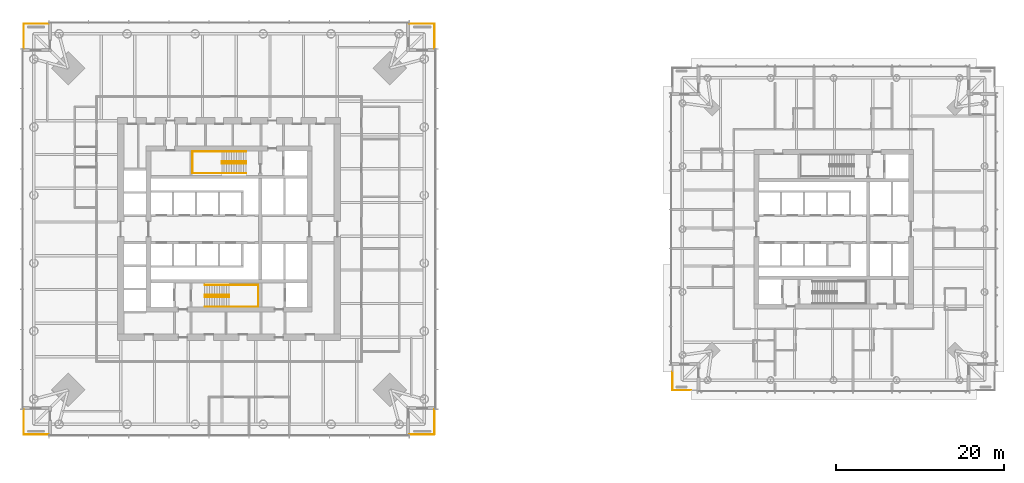
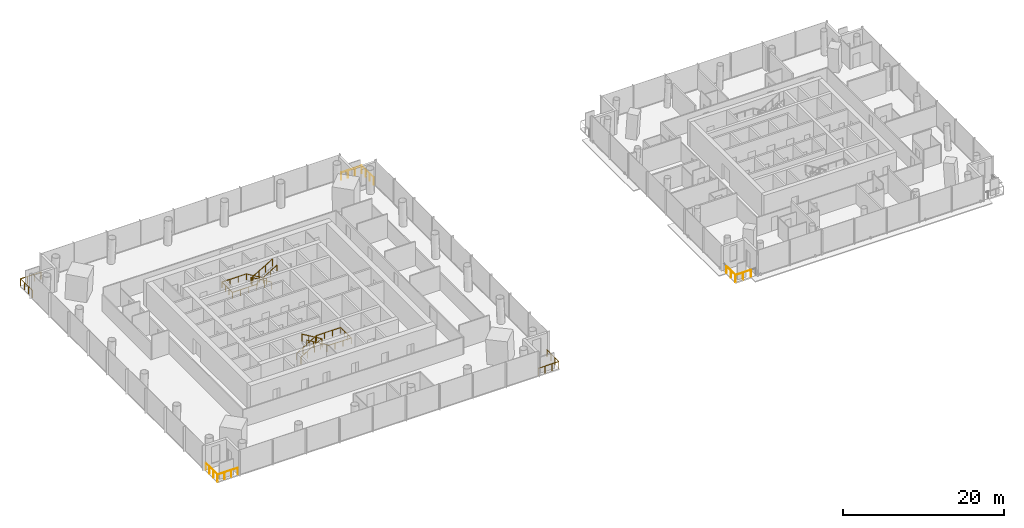
# One storey, part 20 of 21: 9 railings.
"""IFC4 building model written with IfcOpenShell, lengths in metres."""

from ifc_helpers import new_model, si_unit, direction, frame, origin, origin_2d, place, context, subcontext, project, spatial, circle, extrude, material, type_object, element, save


model = new_model("IFC4")

# Units and contexts
model_context = context("Model", 3, precision=1e-05, world=origin(), true_north=direction((0.0, 1.0)))
body_context = subcontext(model_context, "Body", "Model", "MODEL_VIEW")
ifc_project = project(units=[si_unit("LENGTHUNIT", "METRE"), si_unit("AREAUNIT", "SQUARE_METRE"), si_unit("VOLUMEUNIT", "CUBIC_METRE"), si_unit("PLANEANGLEUNIT", "RADIAN"), si_unit("MASSUNIT", "GRAM", prefix="KILO")], contexts=[model_context])

# Site, building, storey
site_placement = place(None, origin())
site = spatial("IfcSite", under=ifc_project, at=site_placement, CompositionType="ELEMENT")
building_placement = place(site_placement, origin())
building = spatial("IfcBuilding", under=site, at=building_placement, Name="Ostroluk Exchange", CompositionType="ELEMENT")
storey_placement = place(building_placement, frame((0.0, 0.0, 43.800048828125)))
storey = spatial("IfcBuildingStorey", under=building, at=storey_placement, Name="L10", CompositionType="ELEMENT", Elevation=43.800048828125)

# Railings
ifc_material_1 = material(Name="Stainless steel", Category="steel")
railing_type_1 = type_object("IfcRailingType", Name="Guard 1100 stainless steel", PredefinedType="GUARDRAIL", material=ifc_material_1)
railing_1_placement = place(storey_placement, frame((66.5, 21.550048828125, 0.0)))
element("IfcRailing", 1, at=railing_1_placement, inside=storey, type_object=railing_type_1, Name="Office tower SE balcony guard L10", PredefinedType="GUARDRAIL", context=body_context, shape_type="SweptSolid", body=[
    extrude(circle(Radius=0.02392578125, at=origin_2d()), frame((0.0, 0.0, 1.076171875), z_axis=(1.0, 0.0, 0.0), x_axis=(0.0, 1.0, 0.0)), (0.0, 0.0, 1.0), 2.949951171875),
    extrude(circle(Radius=0.02392578125, at=origin_2d()), frame((2.949951171875, 0.0, 1.076171875), z_axis=(0.0, 1.0, 0.0), x_axis=(-1.0, 0.0, 0.0)), (0.0, 0.0, 1.0), 2.949951171875),
    extrude(circle(Radius=0.02099609375, at=origin_2d()), origin(), (0.0, 0.0, 1.0), 1.052001953125),
    extrude(circle(Radius=0.02099609375, at=origin_2d()), frame((0.9833984375, 0.0, 0.0)), (0.0, 0.0, 1.0), 1.052001953125),
    extrude(circle(Radius=0.02099609375, at=origin_2d()), frame((1.966552734375, 0.0, 0.0)), (0.0, 0.0, 1.0), 1.052001953125),
    extrude(circle(Radius=0.02099609375, at=origin_2d()), frame((2.949951171875, 0.0, 0.0)), (0.0, 0.0, 1.0), 1.052001953125),
    extrude(circle(Radius=0.02099609375, at=origin_2d()), frame((2.949951171875, 0.9833984375, 0.0)), (0.0, 0.0, 1.0), 1.052001953125),
    extrude(circle(Radius=0.02099609375, at=origin_2d()), frame((2.949951171875, 1.966552734375, 0.0)), (0.0, 0.0, 1.0), 1.052001953125),
    extrude(circle(Radius=0.02099609375, at=origin_2d()), frame((2.949951171875, 2.949951171875, 0.0)), (0.0, 0.0, 1.0), 1.052001953125),
])
railing_2_placement = place(storey_placement, frame((66.5, 70.449951171875, 0.0)))
element("IfcRailing", 2, at=railing_2_placement, inside=storey, type_object=railing_type_1, Name="Office tower NE balcony guard L10", PredefinedType="GUARDRAIL", context=body_context, shape_type="SweptSolid", body=[
    extrude(circle(Radius=0.02392578125, at=origin_2d()), frame((0.0, 0.0, 1.076171875), z_axis=(1.0, 0.0, 0.0), x_axis=(0.0, 1.0, 0.0)), (0.0, 0.0, 1.0), 2.949951171875),
    extrude(circle(Radius=0.02392578125, at=origin_2d()), frame((2.949951171875, 0.0, 1.076171875), z_axis=(0.0, -1.0, 0.0), x_axis=(1.0, 0.0, 0.0)), (0.0, 0.0, 1.0), 2.949951171875),
    extrude(circle(Radius=0.02099609375, at=origin_2d()), origin(), (0.0, 0.0, 1.0), 1.052001953125),
    extrude(circle(Radius=0.02099609375, at=origin_2d()), frame((0.9833984375, 0.0, 0.0)), (0.0, 0.0, 1.0), 1.052001953125),
    extrude(circle(Radius=0.02099609375, at=origin_2d()), frame((1.966552734375, 0.0, 0.0)), (0.0, 0.0, 1.0), 1.052001953125),
    extrude(circle(Radius=0.02099609375, at=origin_2d()), frame((2.949951171875, 0.0, 0.0)), (0.0, 0.0, 1.0), 1.052001953125),
    extrude(circle(Radius=0.02099609375, at=origin_2d()), frame((2.949951171875, -0.9833984375, 0.0)), (0.0, 0.0, 1.0), 1.052001953125),
    extrude(circle(Radius=0.02099609375, at=origin_2d()), frame((2.949951171875, -1.966552734375, 0.0)), (0.0, 0.0, 1.0), 1.052001953125),
    extrude(circle(Radius=0.02099609375, at=origin_2d()), frame((2.949951171875, -2.949951171875, 0.0)), (0.0, 0.0, 1.0), 1.052001953125),
])
railing_3_placement = place(storey_placement, frame((23.5, 70.449951171875, 0.0)))
element("IfcRailing", 3, at=railing_3_placement, inside=storey, type_object=railing_type_1, Name="Office tower NW balcony guard L10", PredefinedType="GUARDRAIL", context=body_context, shape_type="SweptSolid", body=[
    extrude(circle(Radius=0.02392578125, at=origin_2d()), frame((0.0, 0.0, 1.076171875), z_axis=(-1.0, 0.0, 0.0), x_axis=(0.0, -1.0, 0.0)), (0.0, 0.0, 1.0), 2.949951171875),
    extrude(circle(Radius=0.02392578125, at=origin_2d()), frame((-2.949951171875, 0.0, 1.076171875), z_axis=(0.0, -1.0, 0.0), x_axis=(1.0, 0.0, 0.0)), (0.0, 0.0, 1.0), 2.949951171875),
    extrude(circle(Radius=0.02099609375, at=origin_2d()), origin(), (0.0, 0.0, 1.0), 1.052001953125),
    extrude(circle(Radius=0.02099609375, at=origin_2d()), frame((-0.9833984375, 0.0, 0.0)), (0.0, 0.0, 1.0), 1.052001953125),
    extrude(circle(Radius=0.02099609375, at=origin_2d()), frame((-1.966552734375, 0.0, 0.0)), (0.0, 0.0, 1.0), 1.052001953125),
    extrude(circle(Radius=0.02099609375, at=origin_2d()), frame((-2.949951171875, 0.0, 0.0)), (0.0, 0.0, 1.0), 1.052001953125),
    extrude(circle(Radius=0.02099609375, at=origin_2d()), frame((-2.949951171875, -0.9833984375, 0.0)), (0.0, 0.0, 1.0), 1.052001953125),
    extrude(circle(Radius=0.02099609375, at=origin_2d()), frame((-2.949951171875, -1.966552734375, 0.0)), (0.0, 0.0, 1.0), 1.052001953125),
    extrude(circle(Radius=0.02099609375, at=origin_2d()), frame((-2.949951171875, -2.949951171875, 0.0)), (0.0, 0.0, 1.0), 1.052001953125),
])
railing_4_placement = place(storey_placement, frame((23.5, 21.550048828125, 0.0)))
element("IfcRailing", 4, at=railing_4_placement, inside=storey, type_object=railing_type_1, Name="Office tower SW balcony guard L10", PredefinedType="GUARDRAIL", context=body_context, shape_type="SweptSolid", body=[
    extrude(circle(Radius=0.02392578125, at=origin_2d()), frame((0.0, 0.0, 1.076171875), z_axis=(-1.0, 0.0, 0.0), x_axis=(0.0, -1.0, 0.0)), (0.0, 0.0, 1.0), 2.949951171875),
    extrude(circle(Radius=0.02392578125, at=origin_2d()), frame((-2.949951171875, 0.0, 1.076171875), z_axis=(0.0, 1.0, 0.0), x_axis=(-1.0, 0.0, 0.0)), (0.0, 0.0, 1.0), 2.949951171875),
    extrude(circle(Radius=0.02099609375, at=origin_2d()), origin(), (0.0, 0.0, 1.0), 1.052001953125),
    extrude(circle(Radius=0.02099609375, at=origin_2d()), frame((-0.9833984375, 0.0, 0.0)), (0.0, 0.0, 1.0), 1.052001953125),
    extrude(circle(Radius=0.02099609375, at=origin_2d()), frame((-1.966552734375, 0.0, 0.0)), (0.0, 0.0, 1.0), 1.052001953125),
    extrude(circle(Radius=0.02099609375, at=origin_2d()), frame((-2.949951171875, 0.0, 0.0)), (0.0, 0.0, 1.0), 1.052001953125),
    extrude(circle(Radius=0.02099609375, at=origin_2d()), frame((-2.949951171875, 0.9833984375, 0.0)), (0.0, 0.0, 1.0), 1.052001953125),
    extrude(circle(Radius=0.02099609375, at=origin_2d()), frame((-2.949951171875, 1.966552734375, 0.0)), (0.0, 0.0, 1.0), 1.052001953125),
    extrude(circle(Radius=0.02099609375, at=origin_2d()), frame((-2.949951171875, 2.949951171875, 0.0)), (0.0, 0.0, 1.0), 1.052001953125),
])
railing_5_placement = place(storey_placement, frame((100.0, 26.800048828125, 0.0)))
element("IfcRailing", 5, at=railing_5_placement, inside=storey, type_object=railing_type_1, Name="Hotel tower SW balcony guard L10", PredefinedType="GUARDRAIL", context=body_context, shape_type="SweptSolid", body=[
    extrude(circle(Radius=0.02392578125, at=origin_2d()), frame((0.0, 0.0, 1.076171875), z_axis=(-1.0, 0.0, 0.0), x_axis=(0.0, -1.0, 0.0)), (0.0, 0.0, 1.0), 2.199951171875),
    extrude(circle(Radius=0.02392578125, at=origin_2d()), frame((-2.199951171875, 0.0, 1.076171875), z_axis=(0.0, 1.0, 0.0), x_axis=(-1.0, 0.0, 0.0)), (0.0, 0.0, 1.0), 2.199951171875),
    extrude(circle(Radius=0.02099609375, at=origin_2d()), origin(), (0.0, 0.0, 1.0), 1.052001953125),
    extrude(circle(Radius=0.02099609375, at=origin_2d()), frame((-1.10009765625, 0.0, 0.0)), (0.0, 0.0, 1.0), 1.052001953125),
    extrude(circle(Radius=0.02099609375, at=origin_2d()), frame((-2.199951171875, 0.0, 0.0)), (0.0, 0.0, 1.0), 1.052001953125),
    extrude(circle(Radius=0.02099609375, at=origin_2d()), frame((-2.199951171875, 1.10009765625, 0.0)), (0.0, 0.0, 1.0), 1.052001953125),
    extrude(circle(Radius=0.02099609375, at=origin_2d()), frame((-2.199951171875, 2.199951171875, 0.0)), (0.0, 0.0, 1.0), 1.052001953125),
])
ifc_material_2 = material(Name="Steel S355", Category="steel")
railing_type_2 = type_object("IfcRailingType", Name="Stair guard 1100", PredefinedType="GUARDRAIL", material=ifc_material_2)
railing_6_placement = place(storey_placement, frame((42.10009765625, 38.179931640625, 0.172607421875)))
element("IfcRailing", 6, at=railing_6_placement, inside=storey, type_object=railing_type_2, Name="Stair T1-S1 guard L10", PredefinedType="GUARDRAIL", context=body_context, shape_type="SweptSolid", body=[
    extrude(circle(Radius=0.02392578125, at=origin_2d()), frame((0.0, 0.0, 1.076171875), z_axis=(0.859141464434, 0.0, 0.511738159696), x_axis=(0.0, 1.0, 0.0)), (0.0, 0.0, 1.0), 3.375244140625),
    extrude(circle(Radius=0.02392578125, at=origin_2d()), frame((2.89990234375, 0.0, 2.80322265625), z_axis=(0.0, -1.0, 0.0), x_axis=(1.0, 0.0, 0.0)), (0.0, 0.0, 1.0), 0.260009765625),
    extrude(circle(Radius=0.02392578125, at=origin_2d()), frame((2.89990234375, -0.260009765625, 2.80322265625), z_axis=(0.0, 0.0, 1.0), x_axis=(1.0, 0.0, 0.0)), (0.0, 0.0, 1.0), 0.1728515625),
    extrude(circle(Radius=0.02392578125, at=origin_2d()), frame((2.89990234375, -0.260009765625, 2.97607421875), z_axis=(-0.859141464434, 0.0, 0.511738159696), x_axis=(0.0, -1.0, 0.0)), (0.0, 0.0, 1.0), 3.375244140625),
    extrude(circle(Radius=0.02099609375, at=origin_2d()), origin(), (0.0, 0.0, 1.0), 1.052001953125),
    extrude(circle(Radius=0.02099609375, at=origin_2d()), frame((0.966552734375, 0.0, 0.57568359375)), (0.0, 0.0, 1.0), 1.052001953125),
    extrude(circle(Radius=0.02099609375, at=origin_2d()), frame((1.933349609375, 0.0, 1.151611328125)), (0.0, 0.0, 1.0), 1.052001953125),
    extrude(circle(Radius=0.02099609375, at=origin_2d()), frame((2.89990234375, 0.0, 1.727294921875)), (0.0, 0.0, 1.0), 1.052001953125),
    extrude(circle(Radius=0.02099609375, at=origin_2d()), frame((2.89990234375, -0.260009765625, 1.727294921875)), (0.0, 0.0, 1.0), 1.052001953125),
    extrude(circle(Radius=0.02099609375, at=origin_2d()), frame((2.89990234375, -0.260009765625, 1.900146484375)), (0.0, 0.0, 1.0), 1.052001953125),
    extrude(circle(Radius=0.02099609375, at=origin_2d()), frame((1.933349609375, -0.260009765625, 2.475830078125)), (0.0, 0.0, 1.0), 1.052001953125),
    extrude(circle(Radius=0.02099609375, at=origin_2d()), frame((0.966552734375, -0.260009765625, 3.0517578125)), (0.0, 0.0, 1.0), 1.052001953125),
    extrude(circle(Radius=0.02099609375, at=origin_2d()), frame((0.0, -0.260009765625, 3.62744140625)), (0.0, 0.0, 1.0), 1.052001953125),
])
railing_7_placement = place(storey_placement, frame((47.030029296875, 54.080078125, 0.172607421875)))
element("IfcRailing", 7, at=railing_7_placement, inside=storey, type_object=railing_type_2, Name="Stair T1-S2 guard L10", PredefinedType="GUARDRAIL", context=body_context, shape_type="SweptSolid", body=[
    extrude(circle(Radius=0.02392578125, at=origin_2d()), frame((0.0, 0.0, 1.076171875), z_axis=(-0.859160404282, 0.0, 0.51170636083), x_axis=(0.0, -1.0, 0.0)), (0.0, 0.0, 1.0), 3.37548828125),
    extrude(circle(Radius=0.02392578125, at=origin_2d()), frame((-2.900146484375, 0.0, 2.80322265625), z_axis=(0.0, -1.0, 0.0), x_axis=(1.0, 0.0, 0.0)), (0.0, 0.0, 1.0), 0.260009765625),
    extrude(circle(Radius=0.02392578125, at=origin_2d()), frame((-2.900146484375, -0.260009765625, 2.80322265625), z_axis=(0.0, 0.0, 1.0), x_axis=(1.0, 0.0, 0.0)), (0.0, 0.0, 1.0), 0.1728515625),
    extrude(circle(Radius=0.02392578125, at=origin_2d()), frame((-2.900146484375, -0.260009765625, 2.97607421875), z_axis=(0.859160404282, 0.0, 0.51170636083), x_axis=(0.0, 1.0, 0.0)), (0.0, 0.0, 1.0), 3.37548828125),
    extrude(circle(Radius=0.02099609375, at=origin_2d()), origin(), (0.0, 0.0, 1.0), 1.052001953125),
    extrude(circle(Radius=0.02099609375, at=origin_2d()), frame((-0.966796875, 0.0, 0.57568359375)), (0.0, 0.0, 1.0), 1.052001953125),
    extrude(circle(Radius=0.02099609375, at=origin_2d()), frame((-1.933349609375, 0.0, 1.151611328125)), (0.0, 0.0, 1.0), 1.052001953125),
    extrude(circle(Radius=0.02099609375, at=origin_2d()), frame((-2.900146484375, 0.0, 1.727294921875)), (0.0, 0.0, 1.0), 1.052001953125),
    extrude(circle(Radius=0.02099609375, at=origin_2d()), frame((-2.900146484375, -0.260009765625, 1.727294921875)), (0.0, 0.0, 1.0), 1.052001953125),
    extrude(circle(Radius=0.02099609375, at=origin_2d()), frame((-2.900146484375, -0.260009765625, 1.900146484375)), (0.0, 0.0, 1.0), 1.052001953125),
    extrude(circle(Radius=0.02099609375, at=origin_2d()), frame((-1.933349609375, -0.260009765625, 2.475830078125)), (0.0, 0.0, 1.0), 1.052001953125),
    extrude(circle(Radius=0.02099609375, at=origin_2d()), frame((-0.966796875, -0.260009765625, 3.0517578125)), (0.0, 0.0, 1.0), 1.052001953125),
    extrude(circle(Radius=0.02099609375, at=origin_2d()), frame((0.0, -0.260009765625, 3.62744140625)), (0.0, 0.0, 1.0), 1.052001953125),
])
ifc_material_3 = material(Name="Stainless steel", Category="steel")
railing_type_3 = type_object("IfcRailingType", Name="Stair handrail 900", PredefinedType="HANDRAIL", material=ifc_material_3)
railing_8_placement = place(storey_placement, frame((42.10009765625, 39.35009765625, 0.172607421875)))
element("IfcRailing", 8, at=railing_8_placement, inside=storey, type_object=railing_type_3, Name="Stair T1-S1 handrail L10", PredefinedType="HANDRAIL", context=body_context, shape_type="SweptSolid", body=[
    extrude(circle(Radius=0.02392578125, at=origin_2d()), frame((0.0, 0.0, 0.8759765625), z_axis=(0.859141464434, 0.0, 0.511738159696), x_axis=(0.0, 1.0, 0.0)), (0.0, 0.0, 1.0), 3.375244140625),
    extrude(circle(Radius=0.02392578125, at=origin_2d()), frame((2.89990234375, 0.0, 2.60302734375), z_axis=(1.0, 0.0, 0.0), x_axis=(0.0, 1.0, 0.0)), (0.0, 0.0, 1.0), 3.47998046875),
    extrude(circle(Radius=0.02392578125, at=origin_2d()), frame((6.3798828125, 0.0, 2.60302734375), z_axis=(0.0, -1.0, 0.0), x_axis=(1.0, 0.0, 0.0)), (0.0, 0.0, 1.0), 2.60009765625),
    extrude(circle(Radius=0.02392578125, at=origin_2d()), frame((6.3798828125, -2.60009765625, 2.60302734375), z_axis=(-1.0, 0.0, 0.0), x_axis=(0.0, -1.0, 0.0)), (0.0, 0.0, 1.0), 3.47998046875),
    extrude(circle(Radius=0.02392578125, at=origin_2d()), frame((2.89990234375, -2.60009765625, 2.60302734375), z_axis=(0.0, 0.0, 1.0), x_axis=(1.0, 0.0, 0.0)), (0.0, 0.0, 1.0), 0.1728515625),
    extrude(circle(Radius=0.02392578125, at=origin_2d()), frame((2.89990234375, -2.60009765625, 2.77587890625), z_axis=(-0.859141464434, 0.0, 0.511738159696), x_axis=(0.0, -1.0, 0.0)), (0.0, 0.0, 1.0), 3.375244140625),
    extrude(circle(Radius=0.02099609375, at=origin_2d()), origin(), (0.0, 0.0, 1.0), 0.851806640625),
    extrude(circle(Radius=0.02099609375, at=origin_2d()), frame((0.966552734375, 0.0, 0.57568359375)), (0.0, 0.0, 1.0), 0.851806640625),
    extrude(circle(Radius=0.02099609375, at=origin_2d()), frame((1.933349609375, 0.0, 1.151611328125)), (0.0, 0.0, 1.0), 0.851806640625),
    extrude(circle(Radius=0.02099609375, at=origin_2d()), frame((2.89990234375, 0.0, 1.727294921875)), (0.0, 0.0, 1.0), 0.851806640625),
    extrude(circle(Radius=0.02099609375, at=origin_2d()), frame((4.059814453125, 0.0, 1.727294921875)), (0.0, 0.0, 1.0), 0.851806640625),
    extrude(circle(Radius=0.02099609375, at=origin_2d()), frame((5.219970703125, 0.0, 1.727294921875)), (0.0, 0.0, 1.0), 0.851806640625),
    extrude(circle(Radius=0.02099609375, at=origin_2d()), frame((6.3798828125, 0.0, 1.727294921875)), (0.0, 0.0, 1.0), 0.851806640625),
    extrude(circle(Radius=0.02099609375, at=origin_2d()), frame((6.3798828125, -0.86669921875, 1.727294921875)), (0.0, 0.0, 1.0), 0.851806640625),
    extrude(circle(Radius=0.02099609375, at=origin_2d()), frame((6.3798828125, -1.7333984375, 1.727294921875)), (0.0, 0.0, 1.0), 0.851806640625),
    extrude(circle(Radius=0.02099609375, at=origin_2d()), frame((6.3798828125, -2.60009765625, 1.727294921875)), (0.0, 0.0, 1.0), 0.851806640625),
    extrude(circle(Radius=0.02099609375, at=origin_2d()), frame((5.219970703125, -2.60009765625, 1.727294921875)), (0.0, 0.0, 1.0), 0.851806640625),
    extrude(circle(Radius=0.02099609375, at=origin_2d()), frame((4.059814453125, -2.60009765625, 1.727294921875)), (0.0, 0.0, 1.0), 0.851806640625),
    extrude(circle(Radius=0.02099609375, at=origin_2d()), frame((2.89990234375, -2.60009765625, 1.727294921875)), (0.0, 0.0, 1.0), 0.851806640625),
    extrude(circle(Radius=0.02099609375, at=origin_2d()), frame((2.89990234375, -2.60009765625, 1.900146484375)), (0.0, 0.0, 1.0), 0.851806640625),
    extrude(circle(Radius=0.02099609375, at=origin_2d()), frame((1.933349609375, -2.60009765625, 2.475830078125)), (0.0, 0.0, 1.0), 0.851806640625),
    extrude(circle(Radius=0.02099609375, at=origin_2d()), frame((0.966552734375, -2.60009765625, 3.0517578125)), (0.0, 0.0, 1.0), 0.851806640625),
    extrude(circle(Radius=0.02099609375, at=origin_2d()), frame((0.0, -2.60009765625, 3.62744140625)), (0.0, 0.0, 1.0), 0.851806640625),
])
railing_9_placement = place(storey_placement, frame((47.030029296875, 55.25, 0.172607421875)))
element("IfcRailing", 9, at=railing_9_placement, inside=storey, type_object=railing_type_3, Name="Stair T1-S2 handrail L10", PredefinedType="HANDRAIL", context=body_context, shape_type="SweptSolid", body=[
    extrude(circle(Radius=0.02392578125, at=origin_2d()), frame((0.0, 0.0, 0.8759765625), z_axis=(-0.859160404282, 0.0, 0.51170636083), x_axis=(0.0, -1.0, 0.0)), (0.0, 0.0, 1.0), 3.37548828125),
    extrude(circle(Radius=0.02392578125, at=origin_2d()), frame((-2.900146484375, 0.0, 2.60302734375), z_axis=(-1.0, 0.0, 0.0), x_axis=(0.0, -1.0, 0.0)), (0.0, 0.0, 1.0), 3.47998046875),
    extrude(circle(Radius=0.02392578125, at=origin_2d()), frame((-6.380126953125, 0.0, 2.60302734375), z_axis=(0.0, -1.0, 0.0), x_axis=(1.0, 0.0, 0.0)), (0.0, 0.0, 1.0), 2.60009765625),
    extrude(circle(Radius=0.02392578125, at=origin_2d()), frame((-6.380126953125, -2.60009765625, 2.60302734375), z_axis=(1.0, 0.0, 0.0), x_axis=(0.0, 1.0, 0.0)), (0.0, 0.0, 1.0), 3.47998046875),
    extrude(circle(Radius=0.02392578125, at=origin_2d()), frame((-2.900146484375, -2.60009765625, 2.60302734375), z_axis=(0.0, 0.0, 1.0), x_axis=(1.0, 0.0, 0.0)), (0.0, 0.0, 1.0), 0.1728515625),
    extrude(circle(Radius=0.02392578125, at=origin_2d()), frame((-2.900146484375, -2.60009765625, 2.77587890625), z_axis=(0.859160404282, 0.0, 0.51170636083), x_axis=(0.0, 1.0, 0.0)), (0.0, 0.0, 1.0), 3.37548828125),
    extrude(circle(Radius=0.02099609375, at=origin_2d()), origin(), (0.0, 0.0, 1.0), 0.851806640625),
    extrude(circle(Radius=0.02099609375, at=origin_2d()), frame((-0.966796875, 0.0, 0.57568359375)), (0.0, 0.0, 1.0), 0.851806640625),
    extrude(circle(Radius=0.02099609375, at=origin_2d()), frame((-1.933349609375, 0.0, 1.151611328125)), (0.0, 0.0, 1.0), 0.851806640625),
    extrude(circle(Radius=0.02099609375, at=origin_2d()), frame((-2.900146484375, 0.0, 1.727294921875)), (0.0, 0.0, 1.0), 0.851806640625),
    extrude(circle(Radius=0.02099609375, at=origin_2d()), frame((-4.06005859375, 0.0, 1.727294921875)), (0.0, 0.0, 1.0), 0.851806640625),
    extrude(circle(Radius=0.02099609375, at=origin_2d()), frame((-5.22021484375, 0.0, 1.727294921875)), (0.0, 0.0, 1.0), 0.851806640625),
    extrude(circle(Radius=0.02099609375, at=origin_2d()), frame((-6.380126953125, 0.0, 1.727294921875)), (0.0, 0.0, 1.0), 0.851806640625),
    extrude(circle(Radius=0.02099609375, at=origin_2d()), frame((-6.380126953125, -0.86669921875, 1.727294921875)), (0.0, 0.0, 1.0), 0.851806640625),
    extrude(circle(Radius=0.02099609375, at=origin_2d()), frame((-6.380126953125, -1.7333984375, 1.727294921875)), (0.0, 0.0, 1.0), 0.851806640625),
    extrude(circle(Radius=0.02099609375, at=origin_2d()), frame((-6.380126953125, -2.60009765625, 1.727294921875)), (0.0, 0.0, 1.0), 0.851806640625),
    extrude(circle(Radius=0.02099609375, at=origin_2d()), frame((-5.22021484375, -2.60009765625, 1.727294921875)), (0.0, 0.0, 1.0), 0.851806640625),
    extrude(circle(Radius=0.02099609375, at=origin_2d()), frame((-4.06005859375, -2.60009765625, 1.727294921875)), (0.0, 0.0, 1.0), 0.851806640625),
    extrude(circle(Radius=0.02099609375, at=origin_2d()), frame((-2.900146484375, -2.60009765625, 1.727294921875)), (0.0, 0.0, 1.0), 0.851806640625),
    extrude(circle(Radius=0.02099609375, at=origin_2d()), frame((-2.900146484375, -2.60009765625, 1.900146484375)), (0.0, 0.0, 1.0), 0.851806640625),
    extrude(circle(Radius=0.02099609375, at=origin_2d()), frame((-1.933349609375, -2.60009765625, 2.475830078125)), (0.0, 0.0, 1.0), 0.851806640625),
    extrude(circle(Radius=0.02099609375, at=origin_2d()), frame((-0.966796875, -2.60009765625, 3.0517578125)), (0.0, 0.0, 1.0), 0.851806640625),
    extrude(circle(Radius=0.02099609375, at=origin_2d()), frame((0.0, -2.60009765625, 3.62744140625)), (0.0, 0.0, 1.0), 0.851806640625),
])

save(model, "model.ifc")
